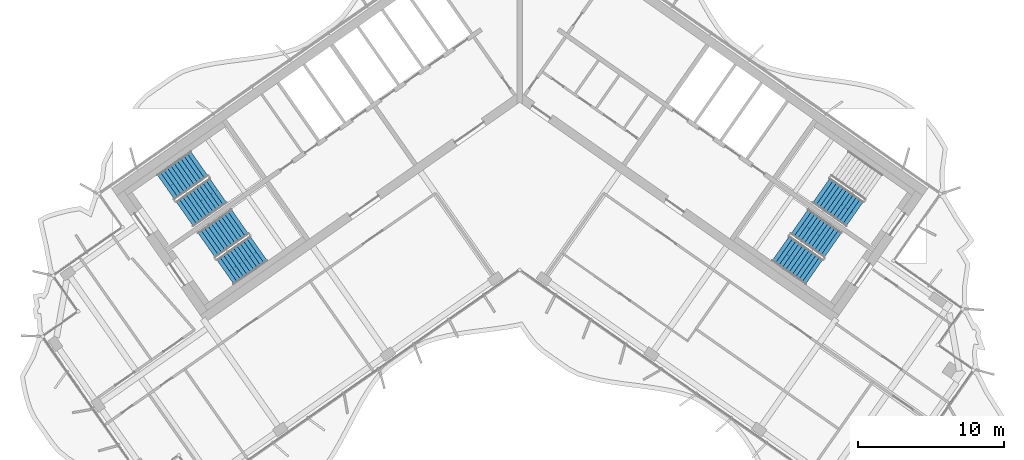
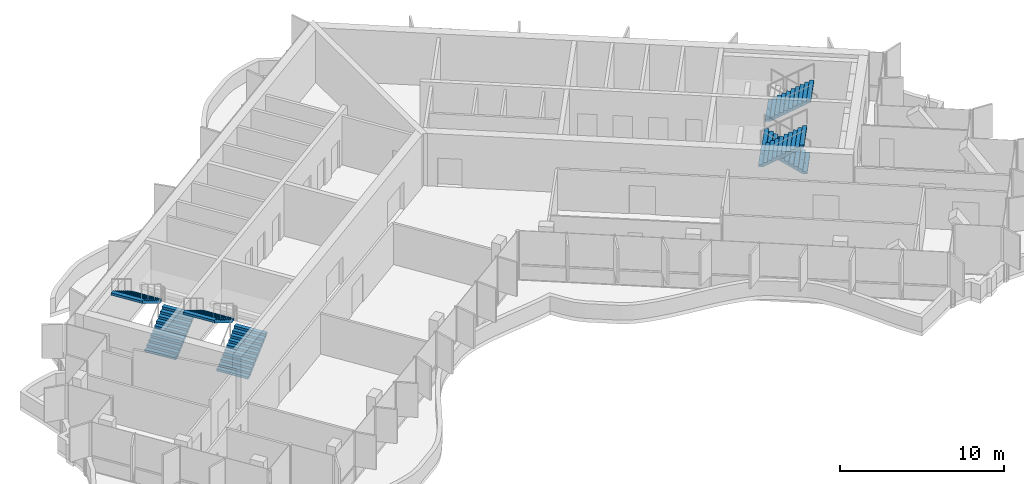
# One storey, part 12 of 18: 7 stair flights, 4 elements without a shape of their own.
"""IFC4 building model written with IfcOpenShell, lengths in metres."""

import ifcopenshell
import ifcopenshell.guid

model = None  # the IFC model being written
_history = None  # IfcOwnerHistory: only IFC2X3 demands one
_inside = {}  # id of a spatial element -> (the spatial element, [elements in it])
_under = {}  # id of a project, library or spatial element -> (it, [spatial elements below it])
_declared = {}  # id of a project -> (the project, [libraries it declares])
_typed = {}  # id of a type object -> (the type object, [elements of that type])
_made_of = {}  # id of a material, layer set ... -> (it, [elements and type objects made of it])


def new_model(schema):
    """Start an empty IFC model of exactly this schema.

    Asked for "IFC4X3", IfcOpenShell would pick the latest addendum, in which some entities
    have other attributes; the version numbers below select the first issue.
    IFC2X3 requires an IfcOwnerHistory on every rooted entity: one is made here for all.
    """
    global model, _history
    if schema == "IFC4X3":
        model = ifcopenshell.file(schema_version=(4, 3, 0, 0))
    else:
        model = ifcopenshell.file(schema=schema)
    _inside.clear()
    _under.clear()
    _declared.clear()
    _typed.clear()
    _made_of.clear()
    _history = None
    if model.schema == "IFC2X3":
        org = make("IfcOrganization", Name="unknown")
        user = make(
            "IfcPersonAndOrganization",
            ThePerson=make("IfcPerson", FamilyName="unknown"),
            TheOrganization=org,
        )
        app = make(
            "IfcApplication",
            ApplicationDeveloper=org,
            Version="unknown",
            ApplicationFullName="unknown",
            ApplicationIdentifier="unknown",
        )
        _history = make(
            "IfcOwnerHistory",
            OwningUser=user,
            OwningApplication=app,
            ChangeAction="ADDED",
            CreationDate=0,
        )
    return model


def make(cls, **values):
    """One entity of the class cls with the attributes given. An attribute that is None is left unset."""
    return model.create_entity(
        cls, **{name: value for name, value in values.items() if value is not None}
    )


def rooted(cls, **values):
    """An entity with a GlobalId (a new one), such as an element, a storey or a relation."""
    return make(cls, GlobalId=ifcopenshell.guid.new(), OwnerHistory=_history, **values)


def si_unit(unit_type, name, prefix=None):
    """IfcSIUnit, for example si_unit("LENGTHUNIT", "METRE", prefix="MILLI")."""
    return make("IfcSIUnit", UnitType=unit_type, Prefix=prefix, Name=name)


def assignment(units):
    """IfcUnitAssignment: the units of a project."""
    return None if units is None else make("IfcUnitAssignment", Units=units)


def point(xyz):
    """IfcCartesianPoint."""
    return None if xyz is None else make("IfcCartesianPoint", Coordinates=xyz)


def direction(xyz):
    """IfcDirection."""
    return None if xyz is None else make("IfcDirection", DirectionRatios=xyz)


def frame(location, z_axis=None, x_axis=None):
    """IfcAxis2Placement3D, a coordinate frame: its origin and axes. An axis left out is left unset."""
    return make(
        "IfcAxis2Placement3D",
        Location=point(location),
        Axis=direction(z_axis),
        RefDirection=direction(x_axis),
    )


def origin():
    """The frame at (0, 0, 0) with its axes left unset."""
    return frame((0.0, 0.0, 0.0))


def place(relative_to, where):
    """IfcLocalPlacement: puts the frame where relative to a parent placement (None: the world)."""
    return make(
        "IfcLocalPlacement", PlacementRelTo=relative_to, RelativePlacement=where
    )


def context(
    kind, dimensions, precision=None, world=None, true_north=None, identifier=None
):
    """IfcGeometricRepresentationContext, for example the 3D "Model" context."""
    return make(
        "IfcGeometricRepresentationContext",
        ContextIdentifier=identifier,
        ContextType=kind,
        CoordinateSpaceDimension=dimensions,
        Precision=precision,
        WorldCoordinateSystem=world,
        TrueNorth=true_north,
    )


def subcontext(parent, identifier, kind, view, scale=None):
    """IfcGeometricRepresentationSubContext, for example "Body" below "Model"."""
    return make(
        "IfcGeometricRepresentationSubContext",
        ContextIdentifier=identifier,
        ContextType=kind,
        ParentContext=parent,
        TargetScale=scale,
        TargetView=view,
    )


def project(units=None, contexts=None):
    """IfcProject with its units and contexts."""
    return rooted(
        "IfcProject",
        Name="project",
        RepresentationContexts=contexts,
        UnitsInContext=assignment(units),
    )


def spatial(cls, under=None, at=None, **own):
    """A site, building, storey or space (cls), placed at a placement, below another one or the project."""
    s = rooted(cls, ObjectPlacement=at, **own)
    if under is not None:
        _under.setdefault(under.id(), (under, []))[1].append(s)
    return s


def polyline(points):
    """IfcPolyline through the points."""
    return make("IfcPolyline", Points=[point(p) for p in points])


def outline(outer, holes=None, kind="AREA"):
    """IfcArbitraryClosedProfileDef: a profile drawn as a closed curve; with holes, ...WithVoids."""
    if holes is None:
        return make("IfcArbitraryClosedProfileDef", ProfileType=kind, OuterCurve=outer)
    return make(
        "IfcArbitraryProfileDefWithVoids",
        ProfileType=kind,
        OuterCurve=outer,
        InnerCurves=holes,
    )


def extrude(swept, where, along, depth):
    """IfcExtrudedAreaSolid: the profile swept, set in the frame where, extruded along a direction by depth."""
    return make(
        "IfcExtrudedAreaSolid",
        SweptArea=swept,
        Position=where,
        ExtrudedDirection=direction(along),
        Depth=depth,
    )


def shape(context_of_items, identifier, shape_type, items):
    """IfcShapeRepresentation: the items that make up one representation, for example the "Body"."""
    return make(
        "IfcShapeRepresentation",
        ContextOfItems=context_of_items,
        RepresentationIdentifier=identifier,
        RepresentationType=shape_type,
        Items=items,
    )


def material(Name=None, Category=None):
    """IfcMaterial."""
    return make("IfcMaterial", Name=Name, Category=Category)


def made_of(thing, what):
    """Note that an element or type object is made of a material, layer set ...; save() writes the relation."""
    if what is not None:
        _made_of.setdefault(what.id(), (what, []))[1].append(thing)
    return thing


def type_object(cls, material=None, **own):
    """A type object (cls), such as IfcWallType, which elements share."""
    return made_of(rooted(cls, **own), material)


def element(
    cls,
    number,
    at=None,
    inside=None,
    cuts=None,
    type_object=None,
    material=None,
    context=None,
    identifier="Body",
    shape_type=None,
    held_by="IfcProductDefinitionShape",
    body=None,
    shapes=None,
    **own,
):
    """One element of the class cls, such as IfcWall. Its Tag is "e" and its number.

    at: its placement. inside: the storey or other place that contains it. cuts: it is an
    opening in that element (IfcRelVoidsElement). A single representation is given by context,
    identifier, shape_type and body (its items); several are given by shapes. held_by: the class
    of the entity that holds the representations. save() writes the other relations.
    """
    e = rooted(cls, Tag="e%d" % number, ObjectPlacement=at, **own)
    if body is not None:
        shapes = [shape(context, identifier, shape_type, body)]
    if shapes is not None:
        e.Representation = make(held_by, Representations=shapes)
    if inside is not None:
        _inside.setdefault(inside.id(), (inside, []))[1].append(e)
    if cuts is not None:
        rooted(
            "IfcRelVoidsElement", RelatingBuildingElement=cuts, RelatedOpeningElement=e
        )
    if type_object is not None:
        _typed.setdefault(type_object.id(), (type_object, []))[1].append(e)
    return made_of(e, material)


def aggregate(whole, parts):
    """IfcRelAggregates: a whole, such as a stair, and the parts it consists of."""
    return rooted("IfcRelAggregates", RelatingObject=whole, RelatedObjects=parts)


def save(model, path):
    """Write the relations noted so far, then the file.

    IfcRelAggregates (storeys below a building ...), IfcRelContainedInSpatialStructure (elements
    in a storey), IfcRelDefinesByType, IfcRelAssociatesMaterial and IfcRelDeclares: one each for
    every whole, place, type object, material and project.
    """
    for whole, parts in _under.values():
        aggregate(whole, parts)
    for where, things in _inside.values():
        rooted(
            "IfcRelContainedInSpatialStructure",
            RelatedElements=things,
            RelatingStructure=where,
        )
    for kind, things in _typed.values():
        rooted("IfcRelDefinesByType", RelatedObjects=things, RelatingType=kind)
    for what, things in _made_of.values():
        rooted("IfcRelAssociatesMaterial", RelatedObjects=things, RelatingMaterial=what)
    for by, libraries in _declared.values():
        rooted("IfcRelDeclares", RelatingContext=by, RelatedDefinitions=libraries)
    model.write(path)


model = new_model("IFC4")

# Units and contexts
model_context = context("Model", 3, precision=1e-05, world=origin(), true_north=direction((0.0, 1.0)))
body_context = subcontext(model_context, "Body", "Model", "MODEL_VIEW")
ifc_project = project(units=[si_unit("LENGTHUNIT", "METRE"), si_unit("AREAUNIT", "SQUARE_METRE"), si_unit("VOLUMEUNIT", "CUBIC_METRE"), si_unit("PLANEANGLEUNIT", "RADIAN"), si_unit("MASSUNIT", "GRAM", prefix="KILO")], contexts=[model_context])

# Site, building, storey
site_placement = place(None, origin())
site = spatial("IfcSite", under=ifc_project, at=site_placement, CompositionType="ELEMENT")
building_placement = place(site_placement, origin())
building = spatial("IfcBuilding", under=site, at=building_placement, Name="Tel Ilan Convention Tower", CompositionType="ELEMENT")
storey_placement = place(building_placement, frame((0.0, 0.0, 268.300048828125)))
storey = spatial("IfcBuildingStorey", under=building, at=storey_placement, Name="L63", CompositionType="ELEMENT", Elevation=268.300048828125)

# Stair, stair flights
ifc_material_1 = material(Name="Concrete C40/50", Category="concrete")
stair_type = type_object("IfcStairType", Name="Pressurised Exit Stair 22 risers 177 mm", PredefinedType="HALF_TURN_STAIR", material=ifc_material_1)
stair_1_placement = place(storey_placement, origin())
stair_1 = element("IfcStair", 1, at=stair_1_placement, inside=storey, type_object=stair_type, Name="L63 Pressurised Stair S1", PredefinedType="HALF_TURN_STAIR")
ifc_material_2 = material(Name="Precast Concrete C40/50", Category="concrete")
stair_flight_type = type_object("IfcStairFlightType", Name="Concrete Stair Flight 2100 mm 22 risers 177 mm", PredefinedType="STRAIGHT", material=ifc_material_2)
stair_flight_1_placement = place(storey_placement, frame((-22.9619140625, -8.87548828125, 0.0), z_axis=(0.0, 0.0, 1.0), x_axis=(0.819152044289, 0.573576436351, 0.0)))
stair_flight_1 = element("IfcStairFlight", 2, at=stair_flight_1_placement, type_object=stair_flight_type, Name="S1 flight 1", NumberOfRisers=11, NumberOfTreads=10, PredefinedType="STRAIGHT", RiserHeight=0.177272727, TreadLength=0.28, context=body_context, shape_type="SweptSolid", body=[
    extrude(outline(polyline([(0.0, 0.0), (0.0, 0.17724609375), (0.280029296875, 0.17724609375), (0.280029296875, 0.3544921875), (0.56005859375, 0.3544921875), (0.56005859375, 0.53173828125), (0.840087890625, 0.53173828125), (0.840087890625, 0.708984375), (1.1201171875, 0.708984375), (1.1201171875, 0.886474609375), (1.39990234375, 0.886474609375), (1.39990234375, 1.063720703125), (1.679931640625, 1.063720703125), (1.679931640625, 1.240966796875), (1.9599609375, 1.240966796875), (1.9599609375, 1.418212890625), (2.239990234375, 1.418212890625), (2.239990234375, 1.595458984375), (2.52001953125, 1.595458984375), (2.52001953125, 1.772705078125), (2.800048828125, 1.772705078125), (2.800048828125, 1.949951171875), (2.800048828125, 1.59521484375), (0.2802734375, 0.0), (0.0, 0.0)])), frame((0.0, -0.100341796875, 0.0), z_axis=(0.0, -1.0, 0.0), x_axis=(1.0, 0.0, 0.0)), (0.0, 0.0, 1.0), 0.94970703125),
    extrude(outline(polyline([(0.0, 0.0), (0.0, 0.17724609375), (0.280029296875, 0.17724609375), (0.280029296875, 0.3544921875), (0.56005859375, 0.3544921875), (0.56005859375, 0.53173828125), (0.840087890625, 0.53173828125), (0.840087890625, 0.708984375), (1.1201171875, 0.708984375), (1.1201171875, 0.886474609375), (1.39990234375, 0.886474609375), (1.39990234375, 1.063720703125), (1.679931640625, 1.063720703125), (1.679931640625, 1.240966796875), (1.9599609375, 1.240966796875), (1.9599609375, 1.418212890625), (2.239990234375, 1.418212890625), (2.239990234375, 1.595458984375), (2.52001953125, 1.595458984375), (2.52001953125, 1.772705078125), (2.800048828125, 1.772705078125), (2.800048828125, 1.949951171875), (2.800048828125, 1.59521484375), (0.2802734375, 0.0), (0.0, 0.0)])), frame((0.0, -0.000244140625, 0.0), z_axis=(0.0, -1.0, 0.0), x_axis=(1.0, 0.0, 0.0)), (0.0, 0.0, 1.0), 0.099609375),
    extrude(outline(polyline([(0.0, 0.0), (0.0, 0.17724609375), (0.280029296875, 0.17724609375), (0.280029296875, 0.3544921875), (0.56005859375, 0.3544921875), (0.56005859375, 0.53173828125), (0.840087890625, 0.53173828125), (0.840087890625, 0.708984375), (1.1201171875, 0.708984375), (1.1201171875, 0.886474609375), (1.39990234375, 0.886474609375), (1.39990234375, 1.063720703125), (1.679931640625, 1.063720703125), (1.679931640625, 1.240966796875), (1.9599609375, 1.240966796875), (1.9599609375, 1.418212890625), (2.239990234375, 1.418212890625), (2.239990234375, 1.595458984375), (2.52001953125, 1.595458984375), (2.52001953125, 1.772705078125), (2.800048828125, 1.772705078125), (2.800048828125, 1.949951171875), (2.800048828125, 1.59521484375), (0.2802734375, 0.0), (0.0, 0.0)])), frame((0.0, 0.099853515625, 0.0), z_axis=(0.0, -1.0, 0.0), x_axis=(1.0, 0.0, 0.0)), (0.0, 0.0, 1.0), 0.099609375),
    extrude(outline(polyline([(0.0, 0.0), (0.0, 0.17724609375), (0.280029296875, 0.17724609375), (0.280029296875, 0.3544921875), (0.56005859375, 0.3544921875), (0.56005859375, 0.53173828125), (0.840087890625, 0.53173828125), (0.840087890625, 0.708984375), (1.1201171875, 0.708984375), (1.1201171875, 0.886474609375), (1.39990234375, 0.886474609375), (1.39990234375, 1.063720703125), (1.679931640625, 1.063720703125), (1.679931640625, 1.240966796875), (1.9599609375, 1.240966796875), (1.9599609375, 1.418212890625), (2.239990234375, 1.418212890625), (2.239990234375, 1.595458984375), (2.52001953125, 1.595458984375), (2.52001953125, 1.772705078125), (2.800048828125, 1.772705078125), (2.800048828125, 1.949951171875), (2.800048828125, 1.59521484375), (0.2802734375, 0.0), (0.0, 0.0)])), frame((0.0, 1.050048828125, 0.0), z_axis=(0.0, -1.0, 0.0), x_axis=(1.0, 0.0, 0.0)), (0.0, 0.0, 1.0), 0.94970703125),
])
stair_flight_2_placement = place(storey_placement, frame((-21.958740234375, -5.42626953125, 1.949951171875), z_axis=(0.0, 0.0, 1.0), x_axis=(-0.819152044289, -0.573576436351, 0.0)))
stair_flight_2 = element("IfcStairFlight", 3, at=stair_flight_2_placement, type_object=stair_flight_type, Name="S1 flight 2", NumberOfRisers=11, NumberOfTreads=10, PredefinedType="STRAIGHT", RiserHeight=0.177272727, TreadLength=0.28, context=body_context, shape_type="SweptSolid", body=[
    extrude(outline(polyline([(0.0, 0.0), (0.0, 0.17724609375), (0.280029296875, 0.17724609375), (0.280029296875, 0.3544921875), (0.56005859375, 0.3544921875), (0.56005859375, 0.53173828125), (0.840087890625, 0.53173828125), (0.840087890625, 0.708984375), (1.1201171875, 0.708984375), (1.1201171875, 0.886474609375), (1.39990234375, 0.886474609375), (1.39990234375, 1.063720703125), (1.679931640625, 1.063720703125), (1.679931640625, 1.240966796875), (1.9599609375, 1.240966796875), (1.9599609375, 1.418212890625), (2.239990234375, 1.418212890625), (2.239990234375, 1.595458984375), (2.52001953125, 1.595458984375), (2.52001953125, 1.772705078125), (2.800048828125, 1.772705078125), (2.800048828125, 1.949951171875), (2.800048828125, 1.59521484375), (0.2802734375, 0.0), (0.0, 0.0)])), frame((0.0, -0.100341796875, 0.0), z_axis=(0.0, -1.0, 0.0), x_axis=(1.0, 0.0, 0.0)), (0.0, 0.0, 1.0), 0.94970703125),
    extrude(outline(polyline([(0.0, 0.0), (0.0, 0.17724609375), (0.280029296875, 0.17724609375), (0.280029296875, 0.3544921875), (0.56005859375, 0.3544921875), (0.56005859375, 0.53173828125), (0.840087890625, 0.53173828125), (0.840087890625, 0.708984375), (1.1201171875, 0.708984375), (1.1201171875, 0.886474609375), (1.39990234375, 0.886474609375), (1.39990234375, 1.063720703125), (1.679931640625, 1.063720703125), (1.679931640625, 1.240966796875), (1.9599609375, 1.240966796875), (1.9599609375, 1.418212890625), (2.239990234375, 1.418212890625), (2.239990234375, 1.595458984375), (2.52001953125, 1.595458984375), (2.52001953125, 1.772705078125), (2.800048828125, 1.772705078125), (2.800048828125, 1.949951171875), (2.800048828125, 1.59521484375), (0.2802734375, 0.0), (0.0, 0.0)])), frame((0.0, -0.000244140625, 0.0), z_axis=(0.0, -1.0, 0.0), x_axis=(1.0, 0.0, 0.0)), (0.0, 0.0, 1.0), 0.099609375),
    extrude(outline(polyline([(0.0, 0.0), (0.0, 0.17724609375), (0.280029296875, 0.17724609375), (0.280029296875, 0.3544921875), (0.56005859375, 0.3544921875), (0.56005859375, 0.53173828125), (0.840087890625, 0.53173828125), (0.840087890625, 0.708984375), (1.1201171875, 0.708984375), (1.1201171875, 0.886474609375), (1.39990234375, 0.886474609375), (1.39990234375, 1.063720703125), (1.679931640625, 1.063720703125), (1.679931640625, 1.240966796875), (1.9599609375, 1.240966796875), (1.9599609375, 1.418212890625), (2.239990234375, 1.418212890625), (2.239990234375, 1.595458984375), (2.52001953125, 1.595458984375), (2.52001953125, 1.772705078125), (2.800048828125, 1.772705078125), (2.800048828125, 1.949951171875), (2.800048828125, 1.59521484375), (0.2802734375, 0.0), (0.0, 0.0)])), frame((0.0, 0.099853515625, 0.0), z_axis=(0.0, -1.0, 0.0), x_axis=(1.0, 0.0, 0.0)), (0.0, 0.0, 1.0), 0.099609375),
    extrude(outline(polyline([(0.0, 0.0), (0.0, 0.17724609375), (0.280029296875, 0.17724609375), (0.280029296875, 0.3544921875), (0.56005859375, 0.3544921875), (0.56005859375, 0.53173828125), (0.840087890625, 0.53173828125), (0.840087890625, 0.708984375), (1.1201171875, 0.708984375), (1.1201171875, 0.886474609375), (1.39990234375, 0.886474609375), (1.39990234375, 1.063720703125), (1.679931640625, 1.063720703125), (1.679931640625, 1.240966796875), (1.9599609375, 1.240966796875), (1.9599609375, 1.418212890625), (2.239990234375, 1.418212890625), (2.239990234375, 1.595458984375), (2.52001953125, 1.595458984375), (2.52001953125, 1.772705078125), (2.800048828125, 1.772705078125), (2.800048828125, 1.949951171875), (2.800048828125, 1.59521484375), (0.2802734375, 0.0), (0.0, 0.0)])), frame((0.0, 1.050048828125, 0.0), z_axis=(0.0, -1.0, 0.0), x_axis=(1.0, 0.0, 0.0)), (0.0, 0.0, 1.0), 0.94970703125),
])
aggregate(stair_1, [stair_flight_1, stair_flight_2])

stair_2_placement = place(storey_placement, origin())
stair_2 = element("IfcStair", 4, at=stair_2_placement, inside=storey, type_object=stair_type, Name="L63 Pressurised Stair S2", PredefinedType="HALF_TURN_STAIR")
stair_flight_3_placement = place(storey_placement, frame((-20.179931640625, -12.848388671875, 0.0), z_axis=(0.0, 0.0, 1.0), x_axis=(0.819152044289, 0.573576436351, 0.0)))
stair_flight_3 = element("IfcStairFlight", 5, at=stair_flight_3_placement, type_object=stair_flight_type, Name="S2 flight 1", NumberOfRisers=11, NumberOfTreads=10, PredefinedType="STRAIGHT", RiserHeight=0.177272727, TreadLength=0.28, context=body_context, shape_type="SweptSolid", body=[
    extrude(outline(polyline([(0.0, 0.0), (0.0, 0.17724609375), (0.280029296875, 0.17724609375), (0.280029296875, 0.3544921875), (0.56005859375, 0.3544921875), (0.56005859375, 0.53173828125), (0.840087890625, 0.53173828125), (0.840087890625, 0.708984375), (1.1201171875, 0.708984375), (1.1201171875, 0.886474609375), (1.39990234375, 0.886474609375), (1.39990234375, 1.063720703125), (1.679931640625, 1.063720703125), (1.679931640625, 1.240966796875), (1.9599609375, 1.240966796875), (1.9599609375, 1.418212890625), (2.239990234375, 1.418212890625), (2.239990234375, 1.595458984375), (2.52001953125, 1.595458984375), (2.52001953125, 1.772705078125), (2.800048828125, 1.772705078125), (2.800048828125, 1.949951171875), (2.800048828125, 1.59521484375), (0.2802734375, 0.0), (0.0, 0.0)])), frame((0.0, -0.100341796875, 0.0), z_axis=(0.0, -1.0, 0.0), x_axis=(1.0, 0.0, 0.0)), (0.0, 0.0, 1.0), 0.94970703125),
    extrude(outline(polyline([(0.0, 0.0), (0.0, 0.17724609375), (0.280029296875, 0.17724609375), (0.280029296875, 0.3544921875), (0.56005859375, 0.3544921875), (0.56005859375, 0.53173828125), (0.840087890625, 0.53173828125), (0.840087890625, 0.708984375), (1.1201171875, 0.708984375), (1.1201171875, 0.886474609375), (1.39990234375, 0.886474609375), (1.39990234375, 1.063720703125), (1.679931640625, 1.063720703125), (1.679931640625, 1.240966796875), (1.9599609375, 1.240966796875), (1.9599609375, 1.418212890625), (2.239990234375, 1.418212890625), (2.239990234375, 1.595458984375), (2.52001953125, 1.595458984375), (2.52001953125, 1.772705078125), (2.800048828125, 1.772705078125), (2.800048828125, 1.949951171875), (2.800048828125, 1.59521484375), (0.2802734375, 0.0), (0.0, 0.0)])), frame((0.0, -0.000244140625, 0.0), z_axis=(0.0, -1.0, 0.0), x_axis=(1.0, 0.0, 0.0)), (0.0, 0.0, 1.0), 0.099609375),
    extrude(outline(polyline([(0.0, 0.0), (0.0, 0.17724609375), (0.280029296875, 0.17724609375), (0.280029296875, 0.3544921875), (0.56005859375, 0.3544921875), (0.56005859375, 0.53173828125), (0.840087890625, 0.53173828125), (0.840087890625, 0.708984375), (1.1201171875, 0.708984375), (1.1201171875, 0.886474609375), (1.39990234375, 0.886474609375), (1.39990234375, 1.063720703125), (1.679931640625, 1.063720703125), (1.679931640625, 1.240966796875), (1.9599609375, 1.240966796875), (1.9599609375, 1.418212890625), (2.239990234375, 1.418212890625), (2.239990234375, 1.595458984375), (2.52001953125, 1.595458984375), (2.52001953125, 1.772705078125), (2.800048828125, 1.772705078125), (2.800048828125, 1.949951171875), (2.800048828125, 1.59521484375), (0.2802734375, 0.0), (0.0, 0.0)])), frame((0.0, 0.099853515625, 0.0), z_axis=(0.0, -1.0, 0.0), x_axis=(1.0, 0.0, 0.0)), (0.0, 0.0, 1.0), 0.099609375),
    extrude(outline(polyline([(0.0, 0.0), (0.0, 0.17724609375), (0.280029296875, 0.17724609375), (0.280029296875, 0.3544921875), (0.56005859375, 0.3544921875), (0.56005859375, 0.53173828125), (0.840087890625, 0.53173828125), (0.840087890625, 0.708984375), (1.1201171875, 0.708984375), (1.1201171875, 0.886474609375), (1.39990234375, 0.886474609375), (1.39990234375, 1.063720703125), (1.679931640625, 1.063720703125), (1.679931640625, 1.240966796875), (1.9599609375, 1.240966796875), (1.9599609375, 1.418212890625), (2.239990234375, 1.418212890625), (2.239990234375, 1.595458984375), (2.52001953125, 1.595458984375), (2.52001953125, 1.772705078125), (2.800048828125, 1.772705078125), (2.800048828125, 1.949951171875), (2.800048828125, 1.59521484375), (0.2802734375, 0.0), (0.0, 0.0)])), frame((0.0, 1.050048828125, 0.0), z_axis=(0.0, -1.0, 0.0), x_axis=(1.0, 0.0, 0.0)), (0.0, 0.0, 1.0), 0.94970703125),
])
stair_flight_4_placement = place(storey_placement, frame((-19.177001953125, -9.399169921875, 1.949951171875), z_axis=(0.0, 0.0, 1.0), x_axis=(-0.819152044289, -0.573576436351, 0.0)))
stair_flight_4 = element("IfcStairFlight", 6, at=stair_flight_4_placement, type_object=stair_flight_type, Name="S2 flight 2", NumberOfRisers=11, NumberOfTreads=10, PredefinedType="STRAIGHT", RiserHeight=0.177272727, TreadLength=0.28, context=body_context, shape_type="SweptSolid", body=[
    extrude(outline(polyline([(0.0, 0.0), (0.0, 0.17724609375), (0.280029296875, 0.17724609375), (0.280029296875, 0.3544921875), (0.56005859375, 0.3544921875), (0.56005859375, 0.53173828125), (0.840087890625, 0.53173828125), (0.840087890625, 0.708984375), (1.1201171875, 0.708984375), (1.1201171875, 0.886474609375), (1.39990234375, 0.886474609375), (1.39990234375, 1.063720703125), (1.679931640625, 1.063720703125), (1.679931640625, 1.240966796875), (1.9599609375, 1.240966796875), (1.9599609375, 1.418212890625), (2.239990234375, 1.418212890625), (2.239990234375, 1.595458984375), (2.52001953125, 1.595458984375), (2.52001953125, 1.772705078125), (2.800048828125, 1.772705078125), (2.800048828125, 1.949951171875), (2.800048828125, 1.59521484375), (0.2802734375, 0.0), (0.0, 0.0)])), frame((0.0, -0.100341796875, 0.0), z_axis=(0.0, -1.0, 0.0), x_axis=(1.0, 0.0, 0.0)), (0.0, 0.0, 1.0), 0.94970703125),
    extrude(outline(polyline([(0.0, 0.0), (0.0, 0.17724609375), (0.280029296875, 0.17724609375), (0.280029296875, 0.3544921875), (0.56005859375, 0.3544921875), (0.56005859375, 0.53173828125), (0.840087890625, 0.53173828125), (0.840087890625, 0.708984375), (1.1201171875, 0.708984375), (1.1201171875, 0.886474609375), (1.39990234375, 0.886474609375), (1.39990234375, 1.063720703125), (1.679931640625, 1.063720703125), (1.679931640625, 1.240966796875), (1.9599609375, 1.240966796875), (1.9599609375, 1.418212890625), (2.239990234375, 1.418212890625), (2.239990234375, 1.595458984375), (2.52001953125, 1.595458984375), (2.52001953125, 1.772705078125), (2.800048828125, 1.772705078125), (2.800048828125, 1.949951171875), (2.800048828125, 1.59521484375), (0.2802734375, 0.0), (0.0, 0.0)])), frame((0.0, -0.000244140625, 0.0), z_axis=(0.0, -1.0, 0.0), x_axis=(1.0, 0.0, 0.0)), (0.0, 0.0, 1.0), 0.099609375),
    extrude(outline(polyline([(0.0, 0.0), (0.0, 0.17724609375), (0.280029296875, 0.17724609375), (0.280029296875, 0.3544921875), (0.56005859375, 0.3544921875), (0.56005859375, 0.53173828125), (0.840087890625, 0.53173828125), (0.840087890625, 0.708984375), (1.1201171875, 0.708984375), (1.1201171875, 0.886474609375), (1.39990234375, 0.886474609375), (1.39990234375, 1.063720703125), (1.679931640625, 1.063720703125), (1.679931640625, 1.240966796875), (1.9599609375, 1.240966796875), (1.9599609375, 1.418212890625), (2.239990234375, 1.418212890625), (2.239990234375, 1.595458984375), (2.52001953125, 1.595458984375), (2.52001953125, 1.772705078125), (2.800048828125, 1.772705078125), (2.800048828125, 1.949951171875), (2.800048828125, 1.59521484375), (0.2802734375, 0.0), (0.0, 0.0)])), frame((0.0, 0.099853515625, 0.0), z_axis=(0.0, -1.0, 0.0), x_axis=(1.0, 0.0, 0.0)), (0.0, 0.0, 1.0), 0.099609375),
    extrude(outline(polyline([(0.0, 0.0), (0.0, 0.17724609375), (0.280029296875, 0.17724609375), (0.280029296875, 0.3544921875), (0.56005859375, 0.3544921875), (0.56005859375, 0.53173828125), (0.840087890625, 0.53173828125), (0.840087890625, 0.708984375), (1.1201171875, 0.708984375), (1.1201171875, 0.886474609375), (1.39990234375, 0.886474609375), (1.39990234375, 1.063720703125), (1.679931640625, 1.063720703125), (1.679931640625, 1.240966796875), (1.9599609375, 1.240966796875), (1.9599609375, 1.418212890625), (2.239990234375, 1.418212890625), (2.239990234375, 1.595458984375), (2.52001953125, 1.595458984375), (2.52001953125, 1.772705078125), (2.800048828125, 1.772705078125), (2.800048828125, 1.949951171875), (2.800048828125, 1.59521484375), (0.2802734375, 0.0), (0.0, 0.0)])), frame((0.0, 1.050048828125, 0.0), z_axis=(0.0, -1.0, 0.0), x_axis=(1.0, 0.0, 0.0)), (0.0, 0.0, 1.0), 0.94970703125),
])
aggregate(stair_2, [stair_flight_3, stair_flight_4])

# Stair, stair flight
stair_3_placement = place(storey_placement, origin())
stair_3 = element("IfcStair", 7, at=stair_3_placement, inside=storey, type_object=stair_type, Name="L63 Pressurised Stair S3", PredefinedType="HALF_TURN_STAIR")
stair_flight_5_placement = place(storey_placement, frame((20.668212890625, -7.26953125, 1.949951171875), z_axis=(0.0, 0.0, 1.0), x_axis=(0.819152044289, -0.573576436351, 0.0)))
stair_flight_5 = element("IfcStairFlight", 8, at=stair_flight_5_placement, type_object=stair_flight_type, Name="S3 flight 2", NumberOfRisers=11, NumberOfTreads=10, PredefinedType="STRAIGHT", RiserHeight=0.177272727, TreadLength=0.28, context=body_context, shape_type="SweptSolid", body=[
    extrude(outline(polyline([(0.0, 0.0), (0.0, 0.17724609375), (0.280029296875, 0.17724609375), (0.280029296875, 0.3544921875), (0.56005859375, 0.3544921875), (0.56005859375, 0.53173828125), (0.840087890625, 0.53173828125), (0.840087890625, 0.708984375), (1.1201171875, 0.708984375), (1.1201171875, 0.886474609375), (1.39990234375, 0.886474609375), (1.39990234375, 1.063720703125), (1.679931640625, 1.063720703125), (1.679931640625, 1.240966796875), (1.9599609375, 1.240966796875), (1.9599609375, 1.418212890625), (2.239990234375, 1.418212890625), (2.239990234375, 1.595458984375), (2.52001953125, 1.595458984375), (2.52001953125, 1.772705078125), (2.800048828125, 1.772705078125), (2.800048828125, 1.949951171875), (2.800048828125, 1.59521484375), (0.2802734375, 0.0), (0.0, 0.0)])), frame((0.0, -0.100341796875, 0.0), z_axis=(0.0, -1.0, 0.0), x_axis=(1.0, 0.0, 0.0)), (0.0, 0.0, 1.0), 0.94970703125),
    extrude(outline(polyline([(0.0, 0.0), (0.0, 0.17724609375), (0.280029296875, 0.17724609375), (0.280029296875, 0.3544921875), (0.56005859375, 0.3544921875), (0.56005859375, 0.53173828125), (0.840087890625, 0.53173828125), (0.840087890625, 0.708984375), (1.1201171875, 0.708984375), (1.1201171875, 0.886474609375), (1.39990234375, 0.886474609375), (1.39990234375, 1.063720703125), (1.679931640625, 1.063720703125), (1.679931640625, 1.240966796875), (1.9599609375, 1.240966796875), (1.9599609375, 1.418212890625), (2.239990234375, 1.418212890625), (2.239990234375, 1.595458984375), (2.52001953125, 1.595458984375), (2.52001953125, 1.772705078125), (2.800048828125, 1.772705078125), (2.800048828125, 1.949951171875), (2.800048828125, 1.59521484375), (0.2802734375, 0.0), (0.0, 0.0)])), frame((0.0, -0.000244140625, 0.0), z_axis=(0.0, -1.0, 0.0), x_axis=(1.0, 0.0, 0.0)), (0.0, 0.0, 1.0), 0.099609375),
    extrude(outline(polyline([(0.0, 0.0), (0.0, 0.17724609375), (0.280029296875, 0.17724609375), (0.280029296875, 0.3544921875), (0.56005859375, 0.3544921875), (0.56005859375, 0.53173828125), (0.840087890625, 0.53173828125), (0.840087890625, 0.708984375), (1.1201171875, 0.708984375), (1.1201171875, 0.886474609375), (1.39990234375, 0.886474609375), (1.39990234375, 1.063720703125), (1.679931640625, 1.063720703125), (1.679931640625, 1.240966796875), (1.9599609375, 1.240966796875), (1.9599609375, 1.418212890625), (2.239990234375, 1.418212890625), (2.239990234375, 1.595458984375), (2.52001953125, 1.595458984375), (2.52001953125, 1.772705078125), (2.800048828125, 1.772705078125), (2.800048828125, 1.949951171875), (2.800048828125, 1.59521484375), (0.2802734375, 0.0), (0.0, 0.0)])), frame((0.0, 0.099853515625, 0.0), z_axis=(0.0, -1.0, 0.0), x_axis=(1.0, 0.0, 0.0)), (0.0, 0.0, 1.0), 0.099609375),
    extrude(outline(polyline([(0.0, 0.0), (0.0, 0.17724609375), (0.280029296875, 0.17724609375), (0.280029296875, 0.3544921875), (0.56005859375, 0.3544921875), (0.56005859375, 0.53173828125), (0.840087890625, 0.53173828125), (0.840087890625, 0.708984375), (1.1201171875, 0.708984375), (1.1201171875, 0.886474609375), (1.39990234375, 0.886474609375), (1.39990234375, 1.063720703125), (1.679931640625, 1.063720703125), (1.679931640625, 1.240966796875), (1.9599609375, 1.240966796875), (1.9599609375, 1.418212890625), (2.239990234375, 1.418212890625), (2.239990234375, 1.595458984375), (2.52001953125, 1.595458984375), (2.52001953125, 1.772705078125), (2.800048828125, 1.772705078125), (2.800048828125, 1.949951171875), (2.800048828125, 1.59521484375), (0.2802734375, 0.0), (0.0, 0.0)])), frame((0.0, 1.050048828125, 0.0), z_axis=(0.0, -1.0, 0.0), x_axis=(1.0, 0.0, 0.0)), (0.0, 0.0, 1.0), 0.94970703125),
])
aggregate(stair_3, [stair_flight_5])

# Stair, stair flights
stair_4_placement = place(storey_placement, origin())
stair_4 = element("IfcStair", 9, at=stair_4_placement, inside=storey, type_object=stair_type, Name="L63 Pressurised Stair S4", PredefinedType="HALF_TURN_STAIR")
stair_flight_6_placement = place(storey_placement, frame((21.470458984375, -11.00537109375, 0.0), z_axis=(0.0, 0.0, 1.0), x_axis=(-0.819152044289, 0.573576436351, 0.0)))
stair_flight_6 = element("IfcStairFlight", 10, at=stair_flight_6_placement, type_object=stair_flight_type, Name="S4 flight 1", NumberOfRisers=11, NumberOfTreads=10, PredefinedType="STRAIGHT", RiserHeight=0.177272727, TreadLength=0.28, context=body_context, shape_type="SweptSolid", body=[
    extrude(outline(polyline([(0.0, 0.0), (0.0, 0.17724609375), (0.280029296875, 0.17724609375), (0.280029296875, 0.3544921875), (0.56005859375, 0.3544921875), (0.56005859375, 0.53173828125), (0.840087890625, 0.53173828125), (0.840087890625, 0.708984375), (1.1201171875, 0.708984375), (1.1201171875, 0.886474609375), (1.39990234375, 0.886474609375), (1.39990234375, 1.063720703125), (1.679931640625, 1.063720703125), (1.679931640625, 1.240966796875), (1.9599609375, 1.240966796875), (1.9599609375, 1.418212890625), (2.239990234375, 1.418212890625), (2.239990234375, 1.595458984375), (2.52001953125, 1.595458984375), (2.52001953125, 1.772705078125), (2.800048828125, 1.772705078125), (2.800048828125, 1.949951171875), (2.800048828125, 1.59521484375), (0.2802734375, 0.0), (0.0, 0.0)])), frame((0.0, -0.100341796875, 0.0), z_axis=(0.0, -1.0, 0.0), x_axis=(1.0, 0.0, 0.0)), (0.0, 0.0, 1.0), 0.94970703125),
    extrude(outline(polyline([(0.0, 0.0), (0.0, 0.17724609375), (0.280029296875, 0.17724609375), (0.280029296875, 0.3544921875), (0.56005859375, 0.3544921875), (0.56005859375, 0.53173828125), (0.840087890625, 0.53173828125), (0.840087890625, 0.708984375), (1.1201171875, 0.708984375), (1.1201171875, 0.886474609375), (1.39990234375, 0.886474609375), (1.39990234375, 1.063720703125), (1.679931640625, 1.063720703125), (1.679931640625, 1.240966796875), (1.9599609375, 1.240966796875), (1.9599609375, 1.418212890625), (2.239990234375, 1.418212890625), (2.239990234375, 1.595458984375), (2.52001953125, 1.595458984375), (2.52001953125, 1.772705078125), (2.800048828125, 1.772705078125), (2.800048828125, 1.949951171875), (2.800048828125, 1.59521484375), (0.2802734375, 0.0), (0.0, 0.0)])), frame((0.0, -0.000244140625, 0.0), z_axis=(0.0, -1.0, 0.0), x_axis=(1.0, 0.0, 0.0)), (0.0, 0.0, 1.0), 0.099609375),
    extrude(outline(polyline([(0.0, 0.0), (0.0, 0.17724609375), (0.280029296875, 0.17724609375), (0.280029296875, 0.3544921875), (0.56005859375, 0.3544921875), (0.56005859375, 0.53173828125), (0.840087890625, 0.53173828125), (0.840087890625, 0.708984375), (1.1201171875, 0.708984375), (1.1201171875, 0.886474609375), (1.39990234375, 0.886474609375), (1.39990234375, 1.063720703125), (1.679931640625, 1.063720703125), (1.679931640625, 1.240966796875), (1.9599609375, 1.240966796875), (1.9599609375, 1.418212890625), (2.239990234375, 1.418212890625), (2.239990234375, 1.595458984375), (2.52001953125, 1.595458984375), (2.52001953125, 1.772705078125), (2.800048828125, 1.772705078125), (2.800048828125, 1.949951171875), (2.800048828125, 1.59521484375), (0.2802734375, 0.0), (0.0, 0.0)])), frame((0.0, 0.099853515625, 0.0), z_axis=(0.0, -1.0, 0.0), x_axis=(1.0, 0.0, 0.0)), (0.0, 0.0, 1.0), 0.099609375),
    extrude(outline(polyline([(0.0, 0.0), (0.0, 0.17724609375), (0.280029296875, 0.17724609375), (0.280029296875, 0.3544921875), (0.56005859375, 0.3544921875), (0.56005859375, 0.53173828125), (0.840087890625, 0.53173828125), (0.840087890625, 0.708984375), (1.1201171875, 0.708984375), (1.1201171875, 0.886474609375), (1.39990234375, 0.886474609375), (1.39990234375, 1.063720703125), (1.679931640625, 1.063720703125), (1.679931640625, 1.240966796875), (1.9599609375, 1.240966796875), (1.9599609375, 1.418212890625), (2.239990234375, 1.418212890625), (2.239990234375, 1.595458984375), (2.52001953125, 1.595458984375), (2.52001953125, 1.772705078125), (2.800048828125, 1.772705078125), (2.800048828125, 1.949951171875), (2.800048828125, 1.59521484375), (0.2802734375, 0.0), (0.0, 0.0)])), frame((0.0, 1.050048828125, 0.0), z_axis=(0.0, -1.0, 0.0), x_axis=(1.0, 0.0, 0.0)), (0.0, 0.0, 1.0), 0.94970703125),
])
stair_flight_7_placement = place(storey_placement, frame((17.886474609375, -11.242431640625, 1.949951171875), z_axis=(0.0, 0.0, 1.0), x_axis=(0.819152044289, -0.573576436351, 0.0)))
stair_flight_7 = element("IfcStairFlight", 11, at=stair_flight_7_placement, type_object=stair_flight_type, Name="S4 flight 2", NumberOfRisers=11, NumberOfTreads=10, PredefinedType="STRAIGHT", RiserHeight=0.177272727, TreadLength=0.28, context=body_context, shape_type="SweptSolid", body=[
    extrude(outline(polyline([(0.0, 0.0), (0.0, 0.17724609375), (0.280029296875, 0.17724609375), (0.280029296875, 0.3544921875), (0.56005859375, 0.3544921875), (0.56005859375, 0.53173828125), (0.840087890625, 0.53173828125), (0.840087890625, 0.708984375), (1.1201171875, 0.708984375), (1.1201171875, 0.886474609375), (1.39990234375, 0.886474609375), (1.39990234375, 1.063720703125), (1.679931640625, 1.063720703125), (1.679931640625, 1.240966796875), (1.9599609375, 1.240966796875), (1.9599609375, 1.418212890625), (2.239990234375, 1.418212890625), (2.239990234375, 1.595458984375), (2.52001953125, 1.595458984375), (2.52001953125, 1.772705078125), (2.800048828125, 1.772705078125), (2.800048828125, 1.949951171875), (2.800048828125, 1.59521484375), (0.2802734375, 0.0), (0.0, 0.0)])), frame((0.0, -0.100341796875, 0.0), z_axis=(0.0, -1.0, 0.0), x_axis=(1.0, 0.0, 0.0)), (0.0, 0.0, 1.0), 0.94970703125),
    extrude(outline(polyline([(0.0, 0.0), (0.0, 0.17724609375), (0.280029296875, 0.17724609375), (0.280029296875, 0.3544921875), (0.56005859375, 0.3544921875), (0.56005859375, 0.53173828125), (0.840087890625, 0.53173828125), (0.840087890625, 0.708984375), (1.1201171875, 0.708984375), (1.1201171875, 0.886474609375), (1.39990234375, 0.886474609375), (1.39990234375, 1.063720703125), (1.679931640625, 1.063720703125), (1.679931640625, 1.240966796875), (1.9599609375, 1.240966796875), (1.9599609375, 1.418212890625), (2.239990234375, 1.418212890625), (2.239990234375, 1.595458984375), (2.52001953125, 1.595458984375), (2.52001953125, 1.772705078125), (2.800048828125, 1.772705078125), (2.800048828125, 1.949951171875), (2.800048828125, 1.59521484375), (0.2802734375, 0.0), (0.0, 0.0)])), frame((0.0, -0.000244140625, 0.0), z_axis=(0.0, -1.0, 0.0), x_axis=(1.0, 0.0, 0.0)), (0.0, 0.0, 1.0), 0.099609375),
    extrude(outline(polyline([(0.0, 0.0), (0.0, 0.17724609375), (0.280029296875, 0.17724609375), (0.280029296875, 0.3544921875), (0.56005859375, 0.3544921875), (0.56005859375, 0.53173828125), (0.840087890625, 0.53173828125), (0.840087890625, 0.708984375), (1.1201171875, 0.708984375), (1.1201171875, 0.886474609375), (1.39990234375, 0.886474609375), (1.39990234375, 1.063720703125), (1.679931640625, 1.063720703125), (1.679931640625, 1.240966796875), (1.9599609375, 1.240966796875), (1.9599609375, 1.418212890625), (2.239990234375, 1.418212890625), (2.239990234375, 1.595458984375), (2.52001953125, 1.595458984375), (2.52001953125, 1.772705078125), (2.800048828125, 1.772705078125), (2.800048828125, 1.949951171875), (2.800048828125, 1.59521484375), (0.2802734375, 0.0), (0.0, 0.0)])), frame((0.0, 0.099853515625, 0.0), z_axis=(0.0, -1.0, 0.0), x_axis=(1.0, 0.0, 0.0)), (0.0, 0.0, 1.0), 0.099609375),
    extrude(outline(polyline([(0.0, 0.0), (0.0, 0.17724609375), (0.280029296875, 0.17724609375), (0.280029296875, 0.3544921875), (0.56005859375, 0.3544921875), (0.56005859375, 0.53173828125), (0.840087890625, 0.53173828125), (0.840087890625, 0.708984375), (1.1201171875, 0.708984375), (1.1201171875, 0.886474609375), (1.39990234375, 0.886474609375), (1.39990234375, 1.063720703125), (1.679931640625, 1.063720703125), (1.679931640625, 1.240966796875), (1.9599609375, 1.240966796875), (1.9599609375, 1.418212890625), (2.239990234375, 1.418212890625), (2.239990234375, 1.595458984375), (2.52001953125, 1.595458984375), (2.52001953125, 1.772705078125), (2.800048828125, 1.772705078125), (2.800048828125, 1.949951171875), (2.800048828125, 1.59521484375), (0.2802734375, 0.0), (0.0, 0.0)])), frame((0.0, 1.050048828125, 0.0), z_axis=(0.0, -1.0, 0.0), x_axis=(1.0, 0.0, 0.0)), (0.0, 0.0, 1.0), 0.94970703125),
])
aggregate(stair_4, [stair_flight_6, stair_flight_7])

save(model, "model.ifc")
